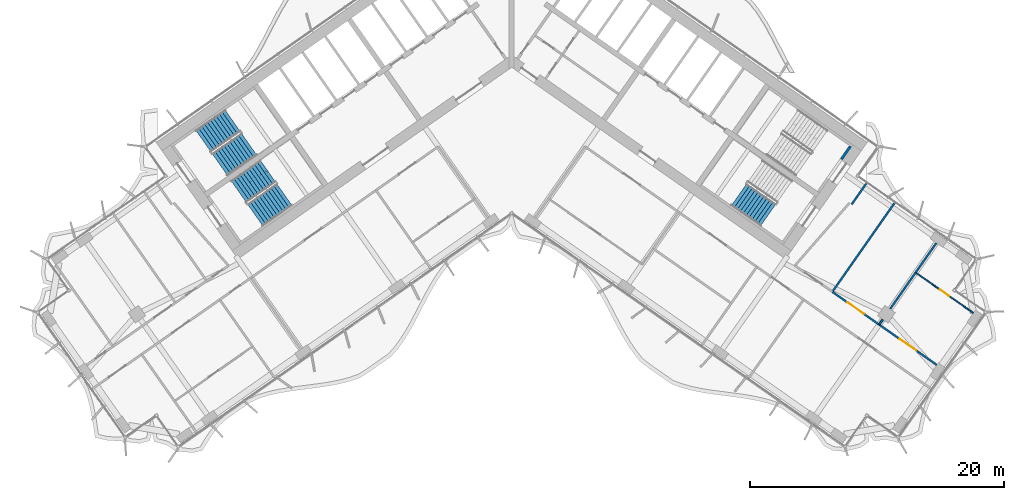
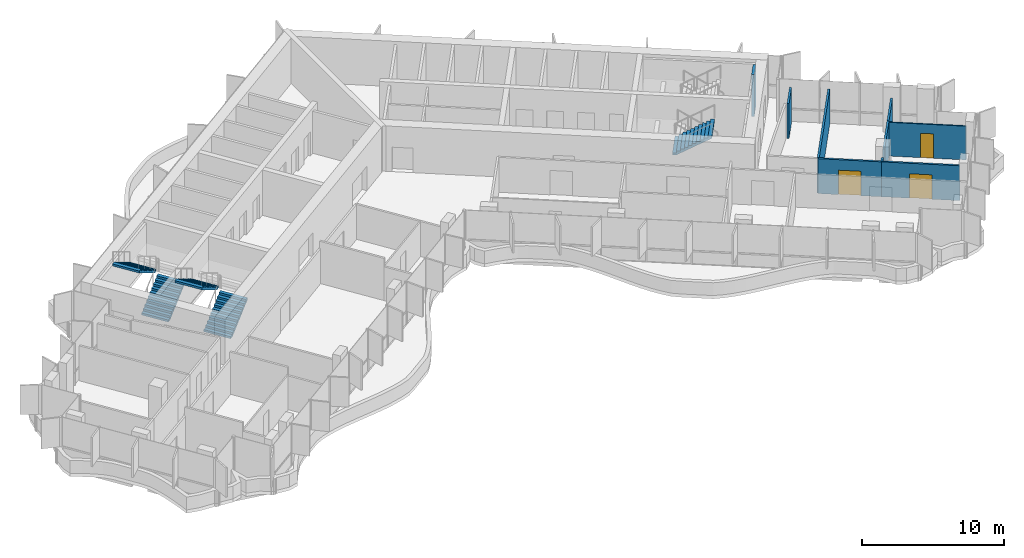
# One storey, part 17 of 23: 9 walls, 5 stair flights, 3 doors, 3 openings, 3 elements without a shape of their own.
"""IFC4 building model written with IfcOpenShell, lengths in metres."""

from ifc_helpers import new_model, si_unit, direction, frame, frame_2d, origin, place, context, subcontext, project, spatial, polyline, rectangle, outline, extrude, material, layer, layer_set, type_object, element, fill, aggregate, save


model = new_model("IFC4")

# Units and contexts
model_context = context("Model", 3, precision=1e-05, world=origin(), true_north=direction((0.0, 1.0)))
body_context = subcontext(model_context, "Body", "Model", "MODEL_VIEW")
ifc_project = project(units=[si_unit("LENGTHUNIT", "METRE"), si_unit("AREAUNIT", "SQUARE_METRE"), si_unit("VOLUMEUNIT", "CUBIC_METRE"), si_unit("PLANEANGLEUNIT", "RADIAN"), si_unit("MASSUNIT", "GRAM", prefix="KILO")], contexts=[model_context])

# Site, building, storey
site_placement = place(None, origin())
site = spatial("IfcSite", under=ifc_project, at=site_placement, CompositionType="ELEMENT")
building_placement = place(site_placement, origin())
building = spatial("IfcBuilding", under=site, at=building_placement, Name="Tel Ilan Convention Tower", CompositionType="ELEMENT")
storey_placement = place(building_placement, frame((0.0, 0.0, 178.800048828125)))
storey = spatial("IfcBuildingStorey", under=building, at=storey_placement, Name="L41", CompositionType="ELEMENT", Elevation=178.800048828125)

# Wall, opening, door
ifc_material_1 = material(Name="Plasterboard on Steel Studs", Category="steel")
ifc_layer_1 = layer(ifc_material_1, 0.14990234375)
ifc_layer_set_1 = layer_set([ifc_layer_1], Name="Fire-rated Partition 150 EI 60")
wall_type_1 = type_object("IfcWallType", Name="Fire-rated Partition 150 EI 60", PredefinedType="PARTITIONING", material=ifc_layer_set_1)
wall_1_placement = place(storey_placement, frame((25.22802734375, -18.8857421875, 0.0), z_axis=(0.0, 0.0, 1.0), x_axis=(0.819165703328, -0.573556928727, 0.0)))
wall_1 = element("IfcWall", 1, at=wall_1_placement, inside=storey, type_object=wall_type_1, Name="Partition 002", PredefinedType="PARTITIONING", context=body_context, shape_type="SweptSolid", body=[
    extrude(rectangle(XDim=4.50390625, YDim=0.14990234375, at=frame_2d((2.251953125, 0.0))), origin(), (0.0, 0.0, 1.0), 3.0),
])
opening_1_placement = place(wall_1_placement, frame((1.451904296875, 0.0, 0.0)))
opening_1 = element("IfcOpeningElement", 2, at=opening_1_placement, cuts=wall_1, Name="Opening L39-018", PredefinedType="OPENING", context=body_context, shape_type="SweptSolid", body=[
    extrude(rectangle(XDim=1.60009765625, YDim=2.10009765625, at=frame_2d((0.800048828125, 1.050048828125))), frame((0.0, 0.0849609375, 0.0), z_axis=(0.0, -1.0, 0.0), x_axis=(1.0, 0.0, 0.0)), (0.0, 0.0, 1.0), 0.169921875),
])
ifc_material_2 = material(Name="Timber Door Leaf in Steel Frame", Category="steel")
door_type_1 = type_object("IfcDoorType", Name="Tenant Suite Entrance Fire Door 1600x2100", OperationType="NOTDEFINED", PredefinedType="DOOR", material=ifc_material_2)
door_1_placement = place(opening_1_placement, origin())
door_1 = element("IfcDoor", 3, at=door_1_placement, inside=storey, type_object=door_type_1, Name="Door L39-018", OperationType="DOUBLE_DOOR_SINGLE_SWING", OverallHeight=2.10009765625, OverallWidth=1.60009765625, PredefinedType="DOOR", context=body_context, shape_type="SweptSolid", body=[
    extrude(rectangle(XDim=1.60009765625, YDim=2.10009765625, at=frame_2d((0.800048828125, 1.050048828125))), frame((0.0, 0.02490234375, 0.0), z_axis=(0.0, -1.0, 0.0), x_axis=(1.0, 0.0, 0.0)), (0.0, 0.0, 1.0), 0.050048828125),
])
fill(opening_1, door_1)

wall_2_placement = place(storey_placement, frame((28.914306640625, -21.466796875, 0.0), z_axis=(0.0, 0.0, 1.0), x_axis=(0.819142757108, -0.573589699592, 0.0)))
wall_2 = element("IfcWall", 4, at=wall_2_placement, inside=storey, type_object=wall_type_1, Name="Partition 003", PredefinedType="PARTITIONING", context=body_context, shape_type="SweptSolid", body=[
    extrude(rectangle(XDim=5.531982421875, YDim=0.14990234375, at=frame_2d((2.76611328125, 0.0))), origin(), (0.0, 0.0, 1.0), 3.0),
])
opening_2_placement = place(wall_2_placement, frame((1.966064453125, 0.0, 0.0)))
opening_2 = element("IfcOpeningElement", 5, at=opening_2_placement, cuts=wall_2, Name="Opening L39-019", PredefinedType="OPENING", context=body_context, shape_type="SweptSolid", body=[
    extrude(rectangle(XDim=1.60009765625, YDim=2.10009765625, at=frame_2d((0.800048828125, 1.050048828125))), frame((0.0, 0.0849609375, 0.0), z_axis=(0.0, -1.0, 0.0), x_axis=(1.0, 0.0, 0.0)), (0.0, 0.0, 1.0), 0.169921875),
])
door_2_placement = place(opening_2_placement, origin())
door_2 = element("IfcDoor", 6, at=door_2_placement, inside=storey, type_object=door_type_1, Name="Door L39-019", OperationType="DOUBLE_DOOR_SINGLE_SWING", OverallHeight=2.10009765625, OverallWidth=1.60009765625, PredefinedType="DOOR", context=body_context, shape_type="SweptSolid", body=[
    extrude(rectangle(XDim=1.60009765625, YDim=2.10009765625, at=frame_2d((0.800048828125, 1.050048828125))), frame((0.0, 0.02490234375, 0.0), z_axis=(0.0, -1.0, 0.0), x_axis=(1.0, 0.0, 0.0)), (0.0, 0.0, 1.0), 0.050048828125),
])
fill(opening_2, door_2)

# Walls
wall_3_placement = place(storey_placement, frame((30.10498046875, -11.924072265625, 0.0), z_axis=(0.0, 0.0, 1.0), x_axis=(-0.573572219642, -0.819154996844, 0.0)))
element("IfcWall", 7, at=wall_3_placement, inside=storey, type_object=wall_type_1, Name="Partition 017", PredefinedType="PARTITIONING", context=body_context, shape_type="SweptSolid", body=[
    extrude(rectangle(XDim=8.499755859375, YDim=0.14990234375, at=frame_2d((4.25, 0.0))), origin(), (0.0, 0.0, 1.0), 3.0),
])
wall_4_placement = place(storey_placement, frame((26.74609375, -12.013671875, 0.0), z_axis=(0.0, 0.0, 1.0), x_axis=(0.573568836472, 0.819157365729, 0.0)))
element("IfcWall", 8, at=wall_4_placement, inside=storey, type_object=wall_type_1, Name="Partition 019", PredefinedType="PARTITIONING", context=body_context, shape_type="SweptSolid", body=[
    extrude(rectangle(XDim=2.000244140625, YDim=0.14990234375, at=frame_2d((1.0, 0.0))), origin(), (0.0, 0.0, 1.0), 3.0),
])
wall_5_placement = place(storey_placement, frame((33.406982421875, -15.053955078125, 0.0), z_axis=(0.0, 0.0, 1.0), x_axis=(-0.573560731169, -0.819163040952, 0.0)))
element("IfcWall", 9, at=wall_5_placement, inside=storey, type_object=wall_type_1, Name="Partition 020", PredefinedType="PARTITIONING", context=body_context, shape_type="SweptSolid", body=[
    extrude(rectangle(XDim=2.8310546875, YDim=0.14990234375, at=frame_2d((1.41552734375, 0.0))), origin(), (0.0, 0.0, 1.0), 3.0),
])
wall_6_placement = place(storey_placement, frame((31.784912109375, -17.37060546875, 0.0), z_axis=(0.0, 0.0, 1.0), x_axis=(-0.573598798985, -0.819136385349, 0.0)))
element("IfcWall", 10, at=wall_6_placement, inside=storey, type_object=wall_type_1, Name="Partition 021", PredefinedType="PARTITIONING", context=body_context, shape_type="SweptSolid", body=[
    extrude(rectangle(XDim=3.482177734375, YDim=0.14990234375, at=frame_2d((1.7412109375, 0.0))), origin(), (0.0, 0.0, 1.0), 3.0),
])
wall_7_placement = place(storey_placement, frame((29.191162109375, -21.07470703125, 0.0), z_axis=(0.0, 0.0, 1.0), x_axis=(-0.57322336738, -0.819399152483, 0.0)))
element("IfcWall", 11, at=wall_7_placement, inside=storey, type_object=wall_type_1, Name="Partition 022", PredefinedType="PARTITIONING", context=body_context, shape_type="SweptSolid", body=[
    extrude(rectangle(XDim=0.47998046875, YDim=0.14990234375, at=frame_2d((0.239990234375, 0.0))), origin(), (0.0, 0.0, 1.0), 3.0),
])

# Wall, opening, door
ifc_material_3 = material(Name="Plasterboard on Steel Studs", Category="steel")
ifc_layer_2 = layer(ifc_material_3, 0.10009765625)
ifc_layer_set_2 = layer_set([ifc_layer_2], Name="Plasterboard Partition 100")
wall_type_2 = type_object("IfcWallType", Name="Plasterboard Partition 100", PredefinedType="PARTITIONING", material=ifc_layer_set_2)
wall_8_placement = place(storey_placement, frame((31.784423828125, -17.371337890625, 0.0), z_axis=(0.0, 0.0, 1.0), x_axis=(0.819144797823, -0.573586785238, 0.0)))
wall_8 = element("IfcWall", 12, at=wall_8_placement, inside=storey, type_object=wall_type_2, Name="Partition 023", PredefinedType="PARTITIONING", context=body_context, shape_type="SweptSolid", body=[
    extrude(rectangle(XDim=5.52978515625, YDim=0.10009765625, at=frame_2d((2.764892578125, 0.0))), origin(), (0.0, 0.0, 1.0), 2.89990234375),
])
opening_3_placement = place(wall_8_placement, frame((2.31494140625, 0.0, 0.0)))
opening_3 = element("IfcOpeningElement", 13, at=opening_3_placement, cuts=wall_8, Name="Opening L39-020", PredefinedType="OPENING", context=body_context, shape_type="SweptSolid", body=[
    extrude(rectangle(XDim=0.89990234375, YDim=2.10009765625, at=frame_2d((0.449951171875, 1.050048828125))), frame((0.0, 0.06005859375, 0.0), z_axis=(0.0, -1.0, 0.0), x_axis=(1.0, 0.0, 0.0)), (0.0, 0.0, 1.0), 0.1201171875),
])
ifc_material_4 = material(Name="Timber Door Leaf in Steel Frame", Category="steel")
door_type_2 = type_object("IfcDoorType", Name="Room Timber Door 900x2100", OperationType="NOTDEFINED", PredefinedType="DOOR", material=ifc_material_4)
door_3_placement = place(opening_3_placement, origin())
door_3 = element("IfcDoor", 14, at=door_3_placement, inside=storey, type_object=door_type_2, Name="Door L39-020", OperationType="SINGLE_SWING_RIGHT", OverallHeight=2.10009765625, OverallWidth=0.89990234375, PredefinedType="DOOR", context=body_context, shape_type="SweptSolid", body=[
    extrude(rectangle(XDim=0.89990234375, YDim=2.10009765625, at=frame_2d((0.449951171875, 1.050048828125))), frame((0.0, 0.02490234375, 0.0), z_axis=(0.0, -1.0, 0.0), x_axis=(1.0, 0.0, 0.0)), (0.0, 0.0, 1.0), 0.050048828125),
])
fill(opening_3, door_3)

# Wall
ifc_material_5 = material(Name="Concrete C30/37", Category="concrete")
ifc_layer_3 = layer(ifc_material_5, 0.199951171875)
ifc_layer_set_3 = layer_set([ifc_layer_3], Name="Stair and Shaft Lining Wall 200 mm C30/37")
wall_type_3 = type_object("IfcWallType", Name="Stair and Shaft Lining Wall 200 mm C30/37", PredefinedType="SOLIDWALL", material=ifc_layer_set_3)
wall_9_placement = place(storey_placement, frame((25.939697265625, -8.4580078125, 0.0), z_axis=(0.0, 0.0, 1.0), x_axis=(0.573619628835, 0.819121798889, 0.0)))
element("IfcWall", 15, at=wall_9_placement, inside=storey, type_object=wall_type_3, Name="L41 core wall lining-S3-u1-1", PredefinedType="SOLIDWALL", context=body_context, shape_type="SweptSolid", body=[
    extrude(rectangle(XDim=1.25, YDim=0.199951171875, at=frame_2d((0.625, 0.0))), origin(), (0.0, 0.0, 1.0), 3.619873046875),
])

# Stair, stair flights
ifc_material_6 = material(Name="Concrete C40/50", Category="concrete")
stair_type = type_object("IfcStairType", Name="Pressurised Exit Stair 22 risers 177 mm", PredefinedType="HALF_TURN_STAIR", material=ifc_material_6)
stair_1_placement = place(storey_placement, origin())
stair_1 = element("IfcStair", 16, at=stair_1_placement, inside=storey, type_object=stair_type, Name="L41 Pressurised Stair S1", PredefinedType="HALF_TURN_STAIR")
ifc_material_7 = material(Name="Precast Concrete C40/50", Category="concrete")
stair_flight_type = type_object("IfcStairFlightType", Name="Concrete Stair Flight 2100 mm 22 risers 177 mm", PredefinedType="STRAIGHT", material=ifc_material_7)
stair_flight_1_placement = place(storey_placement, frame((-22.9619140625, -8.87548828125, 0.0), z_axis=(0.0, 0.0, 1.0), x_axis=(0.819152044289, 0.573576436351, 0.0)))
stair_flight_1 = element("IfcStairFlight", 17, at=stair_flight_1_placement, type_object=stair_flight_type, Name="S1 flight 1", NumberOfRisers=11, NumberOfTreads=10, PredefinedType="STRAIGHT", RiserHeight=0.177272727, TreadLength=0.28, context=body_context, shape_type="SweptSolid", body=[
    extrude(outline(polyline([(0.0, 0.0), (0.0, 0.17724609375), (0.280029296875, 0.17724609375), (0.280029296875, 0.3544921875), (0.56005859375, 0.3544921875), (0.56005859375, 0.53173828125), (0.840087890625, 0.53173828125), (0.840087890625, 0.708984375), (1.1201171875, 0.708984375), (1.1201171875, 0.886474609375), (1.39990234375, 0.886474609375), (1.39990234375, 1.063720703125), (1.679931640625, 1.063720703125), (1.679931640625, 1.240966796875), (1.9599609375, 1.240966796875), (1.9599609375, 1.418212890625), (2.239990234375, 1.418212890625), (2.239990234375, 1.595458984375), (2.52001953125, 1.595458984375), (2.52001953125, 1.772705078125), (2.800048828125, 1.772705078125), (2.800048828125, 1.949951171875), (2.800048828125, 1.59521484375), (0.2802734375, 0.0), (0.0, 0.0)])), frame((0.0, -0.100341796875, 0.0), z_axis=(0.0, -1.0, 0.0), x_axis=(1.0, 0.0, 0.0)), (0.0, 0.0, 1.0), 0.94970703125),
    extrude(outline(polyline([(0.0, 0.0), (0.0, 0.17724609375), (0.280029296875, 0.17724609375), (0.280029296875, 0.3544921875), (0.56005859375, 0.3544921875), (0.56005859375, 0.53173828125), (0.840087890625, 0.53173828125), (0.840087890625, 0.708984375), (1.1201171875, 0.708984375), (1.1201171875, 0.886474609375), (1.39990234375, 0.886474609375), (1.39990234375, 1.063720703125), (1.679931640625, 1.063720703125), (1.679931640625, 1.240966796875), (1.9599609375, 1.240966796875), (1.9599609375, 1.418212890625), (2.239990234375, 1.418212890625), (2.239990234375, 1.595458984375), (2.52001953125, 1.595458984375), (2.52001953125, 1.772705078125), (2.800048828125, 1.772705078125), (2.800048828125, 1.949951171875), (2.800048828125, 1.59521484375), (0.2802734375, 0.0), (0.0, 0.0)])), frame((0.0, -0.000244140625, 0.0), z_axis=(0.0, -1.0, 0.0), x_axis=(1.0, 0.0, 0.0)), (0.0, 0.0, 1.0), 0.099609375),
    extrude(outline(polyline([(0.0, 0.0), (0.0, 0.17724609375), (0.280029296875, 0.17724609375), (0.280029296875, 0.3544921875), (0.56005859375, 0.3544921875), (0.56005859375, 0.53173828125), (0.840087890625, 0.53173828125), (0.840087890625, 0.708984375), (1.1201171875, 0.708984375), (1.1201171875, 0.886474609375), (1.39990234375, 0.886474609375), (1.39990234375, 1.063720703125), (1.679931640625, 1.063720703125), (1.679931640625, 1.240966796875), (1.9599609375, 1.240966796875), (1.9599609375, 1.418212890625), (2.239990234375, 1.418212890625), (2.239990234375, 1.595458984375), (2.52001953125, 1.595458984375), (2.52001953125, 1.772705078125), (2.800048828125, 1.772705078125), (2.800048828125, 1.949951171875), (2.800048828125, 1.59521484375), (0.2802734375, 0.0), (0.0, 0.0)])), frame((0.0, 0.099853515625, 0.0), z_axis=(0.0, -1.0, 0.0), x_axis=(1.0, 0.0, 0.0)), (0.0, 0.0, 1.0), 0.099609375),
    extrude(outline(polyline([(0.0, 0.0), (0.0, 0.17724609375), (0.280029296875, 0.17724609375), (0.280029296875, 0.3544921875), (0.56005859375, 0.3544921875), (0.56005859375, 0.53173828125), (0.840087890625, 0.53173828125), (0.840087890625, 0.708984375), (1.1201171875, 0.708984375), (1.1201171875, 0.886474609375), (1.39990234375, 0.886474609375), (1.39990234375, 1.063720703125), (1.679931640625, 1.063720703125), (1.679931640625, 1.240966796875), (1.9599609375, 1.240966796875), (1.9599609375, 1.418212890625), (2.239990234375, 1.418212890625), (2.239990234375, 1.595458984375), (2.52001953125, 1.595458984375), (2.52001953125, 1.772705078125), (2.800048828125, 1.772705078125), (2.800048828125, 1.949951171875), (2.800048828125, 1.59521484375), (0.2802734375, 0.0), (0.0, 0.0)])), frame((0.0, 1.050048828125, 0.0), z_axis=(0.0, -1.0, 0.0), x_axis=(1.0, 0.0, 0.0)), (0.0, 0.0, 1.0), 0.94970703125),
])
stair_flight_2_placement = place(storey_placement, frame((-21.958740234375, -5.42626953125, 1.949951171875), z_axis=(0.0, 0.0, 1.0), x_axis=(-0.819152044289, -0.573576436351, 0.0)))
stair_flight_2 = element("IfcStairFlight", 18, at=stair_flight_2_placement, type_object=stair_flight_type, Name="S1 flight 2", NumberOfRisers=11, NumberOfTreads=10, PredefinedType="STRAIGHT", RiserHeight=0.177272727, TreadLength=0.28, context=body_context, shape_type="SweptSolid", body=[
    extrude(outline(polyline([(0.0, 0.0), (0.0, 0.17724609375), (0.280029296875, 0.17724609375), (0.280029296875, 0.3544921875), (0.56005859375, 0.3544921875), (0.56005859375, 0.53173828125), (0.840087890625, 0.53173828125), (0.840087890625, 0.708984375), (1.1201171875, 0.708984375), (1.1201171875, 0.886474609375), (1.39990234375, 0.886474609375), (1.39990234375, 1.063720703125), (1.679931640625, 1.063720703125), (1.679931640625, 1.240966796875), (1.9599609375, 1.240966796875), (1.9599609375, 1.418212890625), (2.239990234375, 1.418212890625), (2.239990234375, 1.595458984375), (2.52001953125, 1.595458984375), (2.52001953125, 1.772705078125), (2.800048828125, 1.772705078125), (2.800048828125, 1.949951171875), (2.800048828125, 1.59521484375), (0.2802734375, 0.0), (0.0, 0.0)])), frame((0.0, -0.100341796875, 0.0), z_axis=(0.0, -1.0, 0.0), x_axis=(1.0, 0.0, 0.0)), (0.0, 0.0, 1.0), 0.94970703125),
    extrude(outline(polyline([(0.0, 0.0), (0.0, 0.17724609375), (0.280029296875, 0.17724609375), (0.280029296875, 0.3544921875), (0.56005859375, 0.3544921875), (0.56005859375, 0.53173828125), (0.840087890625, 0.53173828125), (0.840087890625, 0.708984375), (1.1201171875, 0.708984375), (1.1201171875, 0.886474609375), (1.39990234375, 0.886474609375), (1.39990234375, 1.063720703125), (1.679931640625, 1.063720703125), (1.679931640625, 1.240966796875), (1.9599609375, 1.240966796875), (1.9599609375, 1.418212890625), (2.239990234375, 1.418212890625), (2.239990234375, 1.595458984375), (2.52001953125, 1.595458984375), (2.52001953125, 1.772705078125), (2.800048828125, 1.772705078125), (2.800048828125, 1.949951171875), (2.800048828125, 1.59521484375), (0.2802734375, 0.0), (0.0, 0.0)])), frame((0.0, -0.000244140625, 0.0), z_axis=(0.0, -1.0, 0.0), x_axis=(1.0, 0.0, 0.0)), (0.0, 0.0, 1.0), 0.099609375),
    extrude(outline(polyline([(0.0, 0.0), (0.0, 0.17724609375), (0.280029296875, 0.17724609375), (0.280029296875, 0.3544921875), (0.56005859375, 0.3544921875), (0.56005859375, 0.53173828125), (0.840087890625, 0.53173828125), (0.840087890625, 0.708984375), (1.1201171875, 0.708984375), (1.1201171875, 0.886474609375), (1.39990234375, 0.886474609375), (1.39990234375, 1.063720703125), (1.679931640625, 1.063720703125), (1.679931640625, 1.240966796875), (1.9599609375, 1.240966796875), (1.9599609375, 1.418212890625), (2.239990234375, 1.418212890625), (2.239990234375, 1.595458984375), (2.52001953125, 1.595458984375), (2.52001953125, 1.772705078125), (2.800048828125, 1.772705078125), (2.800048828125, 1.949951171875), (2.800048828125, 1.59521484375), (0.2802734375, 0.0), (0.0, 0.0)])), frame((0.0, 0.099853515625, 0.0), z_axis=(0.0, -1.0, 0.0), x_axis=(1.0, 0.0, 0.0)), (0.0, 0.0, 1.0), 0.099609375),
    extrude(outline(polyline([(0.0, 0.0), (0.0, 0.17724609375), (0.280029296875, 0.17724609375), (0.280029296875, 0.3544921875), (0.56005859375, 0.3544921875), (0.56005859375, 0.53173828125), (0.840087890625, 0.53173828125), (0.840087890625, 0.708984375), (1.1201171875, 0.708984375), (1.1201171875, 0.886474609375), (1.39990234375, 0.886474609375), (1.39990234375, 1.063720703125), (1.679931640625, 1.063720703125), (1.679931640625, 1.240966796875), (1.9599609375, 1.240966796875), (1.9599609375, 1.418212890625), (2.239990234375, 1.418212890625), (2.239990234375, 1.595458984375), (2.52001953125, 1.595458984375), (2.52001953125, 1.772705078125), (2.800048828125, 1.772705078125), (2.800048828125, 1.949951171875), (2.800048828125, 1.59521484375), (0.2802734375, 0.0), (0.0, 0.0)])), frame((0.0, 1.050048828125, 0.0), z_axis=(0.0, -1.0, 0.0), x_axis=(1.0, 0.0, 0.0)), (0.0, 0.0, 1.0), 0.94970703125),
])
aggregate(stair_1, [stair_flight_1, stair_flight_2])

stair_2_placement = place(storey_placement, origin())
stair_2 = element("IfcStair", 19, at=stair_2_placement, inside=storey, type_object=stair_type, Name="L41 Pressurised Stair S2", PredefinedType="HALF_TURN_STAIR")
stair_flight_3_placement = place(storey_placement, frame((-20.179931640625, -12.848388671875, 0.0), z_axis=(0.0, 0.0, 1.0), x_axis=(0.819152044289, 0.573576436351, 0.0)))
stair_flight_3 = element("IfcStairFlight", 20, at=stair_flight_3_placement, type_object=stair_flight_type, Name="S2 flight 1", NumberOfRisers=11, NumberOfTreads=10, PredefinedType="STRAIGHT", RiserHeight=0.177272727, TreadLength=0.28, context=body_context, shape_type="SweptSolid", body=[
    extrude(outline(polyline([(0.0, 0.0), (0.0, 0.17724609375), (0.280029296875, 0.17724609375), (0.280029296875, 0.3544921875), (0.56005859375, 0.3544921875), (0.56005859375, 0.53173828125), (0.840087890625, 0.53173828125), (0.840087890625, 0.708984375), (1.1201171875, 0.708984375), (1.1201171875, 0.886474609375), (1.39990234375, 0.886474609375), (1.39990234375, 1.063720703125), (1.679931640625, 1.063720703125), (1.679931640625, 1.240966796875), (1.9599609375, 1.240966796875), (1.9599609375, 1.418212890625), (2.239990234375, 1.418212890625), (2.239990234375, 1.595458984375), (2.52001953125, 1.595458984375), (2.52001953125, 1.772705078125), (2.800048828125, 1.772705078125), (2.800048828125, 1.949951171875), (2.800048828125, 1.59521484375), (0.2802734375, 0.0), (0.0, 0.0)])), frame((0.0, -0.100341796875, 0.0), z_axis=(0.0, -1.0, 0.0), x_axis=(1.0, 0.0, 0.0)), (0.0, 0.0, 1.0), 0.94970703125),
    extrude(outline(polyline([(0.0, 0.0), (0.0, 0.17724609375), (0.280029296875, 0.17724609375), (0.280029296875, 0.3544921875), (0.56005859375, 0.3544921875), (0.56005859375, 0.53173828125), (0.840087890625, 0.53173828125), (0.840087890625, 0.708984375), (1.1201171875, 0.708984375), (1.1201171875, 0.886474609375), (1.39990234375, 0.886474609375), (1.39990234375, 1.063720703125), (1.679931640625, 1.063720703125), (1.679931640625, 1.240966796875), (1.9599609375, 1.240966796875), (1.9599609375, 1.418212890625), (2.239990234375, 1.418212890625), (2.239990234375, 1.595458984375), (2.52001953125, 1.595458984375), (2.52001953125, 1.772705078125), (2.800048828125, 1.772705078125), (2.800048828125, 1.949951171875), (2.800048828125, 1.59521484375), (0.2802734375, 0.0), (0.0, 0.0)])), frame((0.0, -0.000244140625, 0.0), z_axis=(0.0, -1.0, 0.0), x_axis=(1.0, 0.0, 0.0)), (0.0, 0.0, 1.0), 0.099609375),
    extrude(outline(polyline([(0.0, 0.0), (0.0, 0.17724609375), (0.280029296875, 0.17724609375), (0.280029296875, 0.3544921875), (0.56005859375, 0.3544921875), (0.56005859375, 0.53173828125), (0.840087890625, 0.53173828125), (0.840087890625, 0.708984375), (1.1201171875, 0.708984375), (1.1201171875, 0.886474609375), (1.39990234375, 0.886474609375), (1.39990234375, 1.063720703125), (1.679931640625, 1.063720703125), (1.679931640625, 1.240966796875), (1.9599609375, 1.240966796875), (1.9599609375, 1.418212890625), (2.239990234375, 1.418212890625), (2.239990234375, 1.595458984375), (2.52001953125, 1.595458984375), (2.52001953125, 1.772705078125), (2.800048828125, 1.772705078125), (2.800048828125, 1.949951171875), (2.800048828125, 1.59521484375), (0.2802734375, 0.0), (0.0, 0.0)])), frame((0.0, 0.099853515625, 0.0), z_axis=(0.0, -1.0, 0.0), x_axis=(1.0, 0.0, 0.0)), (0.0, 0.0, 1.0), 0.099609375),
    extrude(outline(polyline([(0.0, 0.0), (0.0, 0.17724609375), (0.280029296875, 0.17724609375), (0.280029296875, 0.3544921875), (0.56005859375, 0.3544921875), (0.56005859375, 0.53173828125), (0.840087890625, 0.53173828125), (0.840087890625, 0.708984375), (1.1201171875, 0.708984375), (1.1201171875, 0.886474609375), (1.39990234375, 0.886474609375), (1.39990234375, 1.063720703125), (1.679931640625, 1.063720703125), (1.679931640625, 1.240966796875), (1.9599609375, 1.240966796875), (1.9599609375, 1.418212890625), (2.239990234375, 1.418212890625), (2.239990234375, 1.595458984375), (2.52001953125, 1.595458984375), (2.52001953125, 1.772705078125), (2.800048828125, 1.772705078125), (2.800048828125, 1.949951171875), (2.800048828125, 1.59521484375), (0.2802734375, 0.0), (0.0, 0.0)])), frame((0.0, 1.050048828125, 0.0), z_axis=(0.0, -1.0, 0.0), x_axis=(1.0, 0.0, 0.0)), (0.0, 0.0, 1.0), 0.94970703125),
])
stair_flight_4_placement = place(storey_placement, frame((-19.177001953125, -9.399169921875, 1.949951171875), z_axis=(0.0, 0.0, 1.0), x_axis=(-0.819152044289, -0.573576436351, 0.0)))
stair_flight_4 = element("IfcStairFlight", 21, at=stair_flight_4_placement, type_object=stair_flight_type, Name="S2 flight 2", NumberOfRisers=11, NumberOfTreads=10, PredefinedType="STRAIGHT", RiserHeight=0.177272727, TreadLength=0.28, context=body_context, shape_type="SweptSolid", body=[
    extrude(outline(polyline([(0.0, 0.0), (0.0, 0.17724609375), (0.280029296875, 0.17724609375), (0.280029296875, 0.3544921875), (0.56005859375, 0.3544921875), (0.56005859375, 0.53173828125), (0.840087890625, 0.53173828125), (0.840087890625, 0.708984375), (1.1201171875, 0.708984375), (1.1201171875, 0.886474609375), (1.39990234375, 0.886474609375), (1.39990234375, 1.063720703125), (1.679931640625, 1.063720703125), (1.679931640625, 1.240966796875), (1.9599609375, 1.240966796875), (1.9599609375, 1.418212890625), (2.239990234375, 1.418212890625), (2.239990234375, 1.595458984375), (2.52001953125, 1.595458984375), (2.52001953125, 1.772705078125), (2.800048828125, 1.772705078125), (2.800048828125, 1.949951171875), (2.800048828125, 1.59521484375), (0.2802734375, 0.0), (0.0, 0.0)])), frame((0.0, -0.100341796875, 0.0), z_axis=(0.0, -1.0, 0.0), x_axis=(1.0, 0.0, 0.0)), (0.0, 0.0, 1.0), 0.94970703125),
    extrude(outline(polyline([(0.0, 0.0), (0.0, 0.17724609375), (0.280029296875, 0.17724609375), (0.280029296875, 0.3544921875), (0.56005859375, 0.3544921875), (0.56005859375, 0.53173828125), (0.840087890625, 0.53173828125), (0.840087890625, 0.708984375), (1.1201171875, 0.708984375), (1.1201171875, 0.886474609375), (1.39990234375, 0.886474609375), (1.39990234375, 1.063720703125), (1.679931640625, 1.063720703125), (1.679931640625, 1.240966796875), (1.9599609375, 1.240966796875), (1.9599609375, 1.418212890625), (2.239990234375, 1.418212890625), (2.239990234375, 1.595458984375), (2.52001953125, 1.595458984375), (2.52001953125, 1.772705078125), (2.800048828125, 1.772705078125), (2.800048828125, 1.949951171875), (2.800048828125, 1.59521484375), (0.2802734375, 0.0), (0.0, 0.0)])), frame((0.0, -0.000244140625, 0.0), z_axis=(0.0, -1.0, 0.0), x_axis=(1.0, 0.0, 0.0)), (0.0, 0.0, 1.0), 0.099609375),
    extrude(outline(polyline([(0.0, 0.0), (0.0, 0.17724609375), (0.280029296875, 0.17724609375), (0.280029296875, 0.3544921875), (0.56005859375, 0.3544921875), (0.56005859375, 0.53173828125), (0.840087890625, 0.53173828125), (0.840087890625, 0.708984375), (1.1201171875, 0.708984375), (1.1201171875, 0.886474609375), (1.39990234375, 0.886474609375), (1.39990234375, 1.063720703125), (1.679931640625, 1.063720703125), (1.679931640625, 1.240966796875), (1.9599609375, 1.240966796875), (1.9599609375, 1.418212890625), (2.239990234375, 1.418212890625), (2.239990234375, 1.595458984375), (2.52001953125, 1.595458984375), (2.52001953125, 1.772705078125), (2.800048828125, 1.772705078125), (2.800048828125, 1.949951171875), (2.800048828125, 1.59521484375), (0.2802734375, 0.0), (0.0, 0.0)])), frame((0.0, 0.099853515625, 0.0), z_axis=(0.0, -1.0, 0.0), x_axis=(1.0, 0.0, 0.0)), (0.0, 0.0, 1.0), 0.099609375),
    extrude(outline(polyline([(0.0, 0.0), (0.0, 0.17724609375), (0.280029296875, 0.17724609375), (0.280029296875, 0.3544921875), (0.56005859375, 0.3544921875), (0.56005859375, 0.53173828125), (0.840087890625, 0.53173828125), (0.840087890625, 0.708984375), (1.1201171875, 0.708984375), (1.1201171875, 0.886474609375), (1.39990234375, 0.886474609375), (1.39990234375, 1.063720703125), (1.679931640625, 1.063720703125), (1.679931640625, 1.240966796875), (1.9599609375, 1.240966796875), (1.9599609375, 1.418212890625), (2.239990234375, 1.418212890625), (2.239990234375, 1.595458984375), (2.52001953125, 1.595458984375), (2.52001953125, 1.772705078125), (2.800048828125, 1.772705078125), (2.800048828125, 1.949951171875), (2.800048828125, 1.59521484375), (0.2802734375, 0.0), (0.0, 0.0)])), frame((0.0, 1.050048828125, 0.0), z_axis=(0.0, -1.0, 0.0), x_axis=(1.0, 0.0, 0.0)), (0.0, 0.0, 1.0), 0.94970703125),
])
aggregate(stair_2, [stair_flight_3, stair_flight_4])

# Stair, stair flight
stair_3_placement = place(storey_placement, origin())
stair_3 = element("IfcStair", 22, at=stair_3_placement, inside=storey, type_object=stair_type, Name="L41 Pressurised Stair S4", PredefinedType="HALF_TURN_STAIR")
stair_flight_5_placement = place(storey_placement, frame((17.886474609375, -11.242431640625, 1.949951171875), z_axis=(0.0, 0.0, 1.0), x_axis=(0.819152044289, -0.573576436351, 0.0)))
stair_flight_5 = element("IfcStairFlight", 23, at=stair_flight_5_placement, type_object=stair_flight_type, Name="S4 flight 2", NumberOfRisers=11, NumberOfTreads=10, PredefinedType="STRAIGHT", RiserHeight=0.177272727, TreadLength=0.28, context=body_context, shape_type="SweptSolid", body=[
    extrude(outline(polyline([(0.0, 0.0), (0.0, 0.17724609375), (0.280029296875, 0.17724609375), (0.280029296875, 0.3544921875), (0.56005859375, 0.3544921875), (0.56005859375, 0.53173828125), (0.840087890625, 0.53173828125), (0.840087890625, 0.708984375), (1.1201171875, 0.708984375), (1.1201171875, 0.886474609375), (1.39990234375, 0.886474609375), (1.39990234375, 1.063720703125), (1.679931640625, 1.063720703125), (1.679931640625, 1.240966796875), (1.9599609375, 1.240966796875), (1.9599609375, 1.418212890625), (2.239990234375, 1.418212890625), (2.239990234375, 1.595458984375), (2.52001953125, 1.595458984375), (2.52001953125, 1.772705078125), (2.800048828125, 1.772705078125), (2.800048828125, 1.949951171875), (2.800048828125, 1.59521484375), (0.2802734375, 0.0), (0.0, 0.0)])), frame((0.0, -0.100341796875, 0.0), z_axis=(0.0, -1.0, 0.0), x_axis=(1.0, 0.0, 0.0)), (0.0, 0.0, 1.0), 0.94970703125),
    extrude(outline(polyline([(0.0, 0.0), (0.0, 0.17724609375), (0.280029296875, 0.17724609375), (0.280029296875, 0.3544921875), (0.56005859375, 0.3544921875), (0.56005859375, 0.53173828125), (0.840087890625, 0.53173828125), (0.840087890625, 0.708984375), (1.1201171875, 0.708984375), (1.1201171875, 0.886474609375), (1.39990234375, 0.886474609375), (1.39990234375, 1.063720703125), (1.679931640625, 1.063720703125), (1.679931640625, 1.240966796875), (1.9599609375, 1.240966796875), (1.9599609375, 1.418212890625), (2.239990234375, 1.418212890625), (2.239990234375, 1.595458984375), (2.52001953125, 1.595458984375), (2.52001953125, 1.772705078125), (2.800048828125, 1.772705078125), (2.800048828125, 1.949951171875), (2.800048828125, 1.59521484375), (0.2802734375, 0.0), (0.0, 0.0)])), frame((0.0, -0.000244140625, 0.0), z_axis=(0.0, -1.0, 0.0), x_axis=(1.0, 0.0, 0.0)), (0.0, 0.0, 1.0), 0.099609375),
    extrude(outline(polyline([(0.0, 0.0), (0.0, 0.17724609375), (0.280029296875, 0.17724609375), (0.280029296875, 0.3544921875), (0.56005859375, 0.3544921875), (0.56005859375, 0.53173828125), (0.840087890625, 0.53173828125), (0.840087890625, 0.708984375), (1.1201171875, 0.708984375), (1.1201171875, 0.886474609375), (1.39990234375, 0.886474609375), (1.39990234375, 1.063720703125), (1.679931640625, 1.063720703125), (1.679931640625, 1.240966796875), (1.9599609375, 1.240966796875), (1.9599609375, 1.418212890625), (2.239990234375, 1.418212890625), (2.239990234375, 1.595458984375), (2.52001953125, 1.595458984375), (2.52001953125, 1.772705078125), (2.800048828125, 1.772705078125), (2.800048828125, 1.949951171875), (2.800048828125, 1.59521484375), (0.2802734375, 0.0), (0.0, 0.0)])), frame((0.0, 0.099853515625, 0.0), z_axis=(0.0, -1.0, 0.0), x_axis=(1.0, 0.0, 0.0)), (0.0, 0.0, 1.0), 0.099609375),
    extrude(outline(polyline([(0.0, 0.0), (0.0, 0.17724609375), (0.280029296875, 0.17724609375), (0.280029296875, 0.3544921875), (0.56005859375, 0.3544921875), (0.56005859375, 0.53173828125), (0.840087890625, 0.53173828125), (0.840087890625, 0.708984375), (1.1201171875, 0.708984375), (1.1201171875, 0.886474609375), (1.39990234375, 0.886474609375), (1.39990234375, 1.063720703125), (1.679931640625, 1.063720703125), (1.679931640625, 1.240966796875), (1.9599609375, 1.240966796875), (1.9599609375, 1.418212890625), (2.239990234375, 1.418212890625), (2.239990234375, 1.595458984375), (2.52001953125, 1.595458984375), (2.52001953125, 1.772705078125), (2.800048828125, 1.772705078125), (2.800048828125, 1.949951171875), (2.800048828125, 1.59521484375), (0.2802734375, 0.0), (0.0, 0.0)])), frame((0.0, 1.050048828125, 0.0), z_axis=(0.0, -1.0, 0.0), x_axis=(1.0, 0.0, 0.0)), (0.0, 0.0, 1.0), 0.94970703125),
])
aggregate(stair_3, [stair_flight_5])

save(model, "model.ifc")
